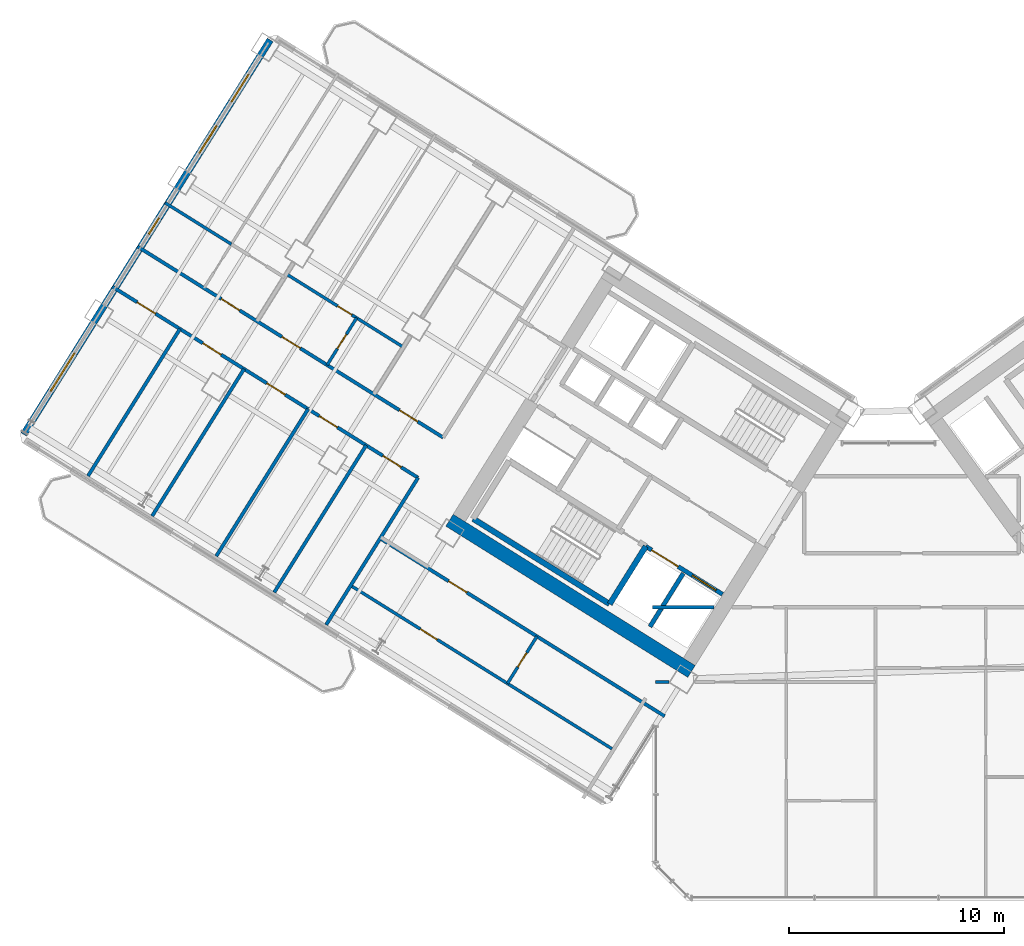
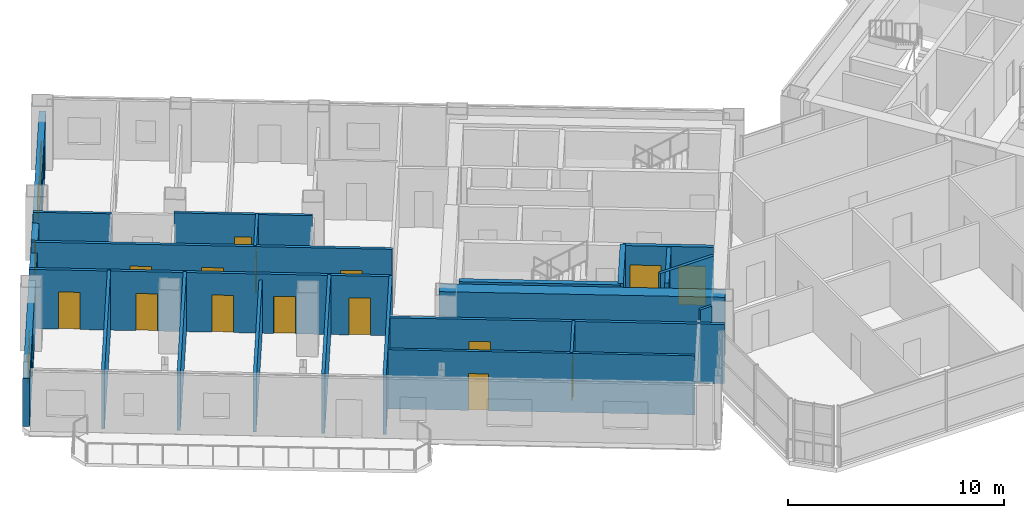
# One storey, part 15 of 28: 21 walls, 15 doors, 4 windows, 19 openings.
"""IFC4 building model written with IfcOpenShell, lengths in metres."""

from ifc_helpers import new_model, si_unit, direction, frame, frame_2d, origin, place, context, subcontext, project, spatial, rectangle, extrude, source, transform, mapped, material, layer, layer_set, type_object, element, fill, save


model = new_model("IFC4")

# Units and contexts
model_context = context("Model", 3, precision=1e-05, world=origin(), true_north=direction((0.0, 1.0)))
body_context = subcontext(model_context, "Body", "Model", "MODEL_VIEW")
ifc_project = project(units=[si_unit("LENGTHUNIT", "METRE"), si_unit("AREAUNIT", "SQUARE_METRE"), si_unit("VOLUMEUNIT", "CUBIC_METRE"), si_unit("PLANEANGLEUNIT", "RADIAN"), si_unit("MASSUNIT", "GRAM", prefix="KILO")], contexts=[model_context])

# Site, building, storey
site_placement = place(None, origin())
site = spatial("IfcSite", under=ifc_project, at=site_placement, CompositionType="ELEMENT")
building_placement = place(site_placement, origin())
building = spatial("IfcBuilding", under=site, at=building_placement, Name="Tlacorven Tower", CompositionType="ELEMENT")
storey_placement = place(building_placement, frame((0.0, 0.0, 56.39990234375)))
storey = spatial("IfcBuildingStorey", under=building, at=storey_placement, Name="L14", CompositionType="ELEMENT", Elevation=56.39990234375)

# Walls
ifc_material_1 = material(Name="Concrete C60/75", Category="concrete")
ifc_layer_1 = layer(ifc_material_1, 0.64990234375)
ifc_layer_set_1 = layer_set([ifc_layer_1], Name="Concrete C60/75")
wall_type_1 = type_object("IfcWallType", Name="WL-COR-650", PredefinedType="SHEAR", material=ifc_layer_set_1)
wall_1_placement = place(storey_placement, frame((33.40869140625, 12.449951171875, 0.0), z_axis=(0.0, 0.0, 1.0), x_axis=(-0.848051132073, 0.529914405721, 0.0)))
element("IfcWall", 1, at=wall_1_placement, inside=storey, type_object=wall_type_1, Name="L14 W core shear wall S2", PredefinedType="SHEAR", context=body_context, shape_type="SweptSolid", body=[
    extrude(rectangle(XDim=13.239990234375, YDim=0.64990234375, at=frame_2d((6.6201171875, 0.0))), origin(), (0.0, 0.0, 1.0), 3.35009765625),
])
ifc_material_2 = material(Name="Gypsum plasterboard acoustic partition", Category="gypsum")
ifc_layer_2 = layer(ifc_material_2, 0.159912109375)
ifc_layer_set_2 = layer_set([ifc_layer_2], Name="Gypsum plasterboard acoustic partition")
wall_type_2 = type_object("IfcWallType", Name="WL-DEM-160", PredefinedType="PARTITIONING", material=ifc_layer_set_2)
wall_2_placement = place(storey_placement, frame((20.719482421875, 21.440185546875, 0.0), z_axis=(0.0, 0.0, 1.0), x_axis=(-0.529906246318, -0.848056230514, 0.0)))
element("IfcWall", 2, at=wall_2_placement, inside=storey, type_object=wall_type_2, Name="L14 partition 50", PredefinedType="PARTITIONING", context=body_context, shape_type="SweptSolid", body=[
    extrude(rectangle(XDim=8.0498046875, YDim=0.159912109375, at=frame_2d((4.02490234375, 0.0))), origin(), (0.0, 0.0, 1.0), 3.340087890625),
])

# Wall, openings, doors
wall_3_placement = place(storey_placement, frame((21.885498046875, 23.305908203125, 0.0), z_axis=(0.0, 0.0, 1.0), x_axis=(-0.848052408131, 0.529912363569, 0.0)))
wall_3 = element("IfcWall", 3, at=wall_3_placement, inside=storey, type_object=wall_type_2, Name="L14 Wing W Corridor South Wall", PredefinedType="PARTITIONING", context=body_context, shape_type="SweptSolid", body=[
    extrude(rectangle(XDim=16.72998046875, YDim=0.159912109375, at=frame_2d((8.364990234375, 0.0))), origin(), (0.0, 0.0, 1.0), 3.340087890625),
])
opening_1_placement = place(wall_3_placement, frame((1.39501953125, 0.0, 0.0)))
opening_1 = element("IfcOpeningElement", 4, at=opening_1_placement, cuts=wall_3, Name="Opening D11", PredefinedType="OPENING", context=body_context, shape_type="SweptSolid", body=[
    extrude(rectangle(XDim=1.0, YDim=2.10009765625, at=frame_2d((0.5, 1.050048828125))), frame((0.0, 0.08984375, 0.0), z_axis=(0.0, -1.0, 0.0), x_axis=(1.0, 0.0, 0.0)), (0.0, 0.0, 1.0), 0.179931640625),
])
opening_2_placement = place(wall_3_placement, frame((7.820068359375, 0.0, 0.0)))
opening_2 = element("IfcOpeningElement", 5, at=opening_2_placement, cuts=wall_3, Name="Opening D11", PredefinedType="OPENING", context=body_context, shape_type="SweptSolid", body=[
    extrude(rectangle(XDim=1.0, YDim=2.10009765625, at=frame_2d((0.5, 1.050048828125))), frame((0.0, 0.08984375, 0.0), z_axis=(0.0, -1.0, 0.0), x_axis=(1.0, 0.0, 0.0)), (0.0, 0.0, 1.0), 0.179931640625),
])
opening_3_placement = place(wall_3_placement, frame((11.139892578125, 0.0, 0.0)))
opening_3 = element("IfcOpeningElement", 6, at=opening_3_placement, cuts=wall_3, Name="Opening D11", PredefinedType="OPENING", context=body_context, shape_type="SweptSolid", body=[
    extrude(rectangle(XDim=1.0, YDim=2.10009765625, at=frame_2d((0.5, 1.050048828125))), frame((0.0, 0.08984375, 0.0), z_axis=(0.0, -1.0, 0.0), x_axis=(1.0, 0.0, 0.0)), (0.0, 0.0, 1.0), 0.179931640625),
])
ifc_material_3 = material(Name="Fire-rated steel door assembly", Category="steel")
door_type_1 = type_object("IfcDoorType", Name="DR-FLT-FD60-1000", OperationType="NOTDEFINED", PredefinedType="DOOR", material=ifc_material_3)
shared_shape_1 = source(origin(), body_context, "Body", "SweptSolid", [
    extrude(rectangle(XDim=1.0, YDim=2.10009765625, at=frame_2d((0.5, 1.050048828125))), frame((0.0, 0.02490234375, 0.0), z_axis=(0.0, -1.0, 0.0), x_axis=(1.0, 0.0, 0.0)), (0.0, 0.0, 1.0), 0.050048828125),
])
door_1_placement = place(opening_1_placement, origin())
door_1 = element("IfcDoor", 7, at=door_1_placement, inside=storey, type_object=door_type_1, Name="L14 door 026", OperationType="SINGLE_SWING_RIGHT", OverallHeight=2.10009765625, OverallWidth=1.0, PredefinedType="DOOR", context=body_context, shape_type="MappedRepresentation", body=[
    mapped(shared_shape_1, transform((0.0, 0.0, 0.0), scale=1.0)),
])
fill(opening_1, door_1)
door_2_placement = place(opening_2_placement, origin())
door_2 = element("IfcDoor", 8, at=door_2_placement, inside=storey, type_object=door_type_1, Name="L14 door 029", OperationType="SINGLE_SWING_LEFT", OverallHeight=2.10009765625, OverallWidth=1.0, PredefinedType="DOOR", context=body_context, shape_type="MappedRepresentation", body=[
    mapped(shared_shape_1, transform((0.0, 0.0, 0.0), scale=1.0)),
])
fill(opening_2, door_2)
door_3_placement = place(opening_3_placement, origin())
door_3 = element("IfcDoor", 9, at=door_3_placement, inside=storey, type_object=door_type_1, Name="L14 door 033", OperationType="SINGLE_SWING_LEFT", OverallHeight=2.10009765625, OverallWidth=1.0, PredefinedType="DOOR", context=body_context, shape_type="MappedRepresentation", body=[
    mapped(shared_shape_1, transform((0.0, 0.0, 0.0), scale=1.0)),
])
fill(opening_3, door_3)

wall_4_placement = place(storey_placement, frame((20.719482421875, 21.440185546875, 0.0), z_axis=(0.0, 0.0, 1.0), x_axis=(-0.848048310262, 0.529918921593, 0.0)))
wall_4 = element("IfcWall", 10, at=wall_4_placement, inside=storey, type_object=wall_type_2, Name="L14 Wing W Corridor North Wall", PredefinedType="PARTITIONING", context=body_context, shape_type="SweptSolid", body=[
    extrude(rectangle(XDim=16.72998046875, YDim=0.159912109375, at=frame_2d((8.364990234375, 0.0))), origin(), (0.0, 0.0, 1.0), 3.340087890625),
])
opening_4_placement = place(wall_4_placement, frame((0.92041015625, 0.0, 0.0)))
opening_4 = element("IfcOpeningElement", 11, at=opening_4_placement, cuts=wall_4, Name="Opening D11", PredefinedType="OPENING", context=body_context, shape_type="SweptSolid", body=[
    extrude(rectangle(XDim=1.0, YDim=2.10009765625, at=frame_2d((0.5, 1.050048828125))), frame((0.0, 0.08984375, 0.0), z_axis=(0.0, -1.0, 0.0), x_axis=(1.0, 0.0, 0.0)), (0.0, 0.0, 1.0), 0.179931640625),
])
opening_5_placement = place(wall_4_placement, frame((4.408447265625, 0.0, 0.0)))
opening_5 = element("IfcOpeningElement", 12, at=opening_5_placement, cuts=wall_4, Name="Opening D11", PredefinedType="OPENING", context=body_context, shape_type="SweptSolid", body=[
    extrude(rectangle(XDim=1.0, YDim=2.10009765625, at=frame_2d((0.5, 1.050048828125))), frame((0.0, 0.08984375, 0.0), z_axis=(0.0, -1.0, 0.0), x_axis=(1.0, 0.0, 0.0)), (0.0, 0.0, 1.0), 0.179931640625),
])
opening_6_placement = place(wall_4_placement, frame((7.2705078125, 0.0, 0.0)))
opening_6 = element("IfcOpeningElement", 13, at=opening_6_placement, cuts=wall_4, Name="Opening D11", PredefinedType="OPENING", context=body_context, shape_type="SweptSolid", body=[
    extrude(rectangle(XDim=1.0, YDim=2.10009765625, at=frame_2d((0.5, 1.050048828125))), frame((0.0, 0.08984375, 0.0), z_axis=(0.0, -1.0, 0.0), x_axis=(1.0, 0.0, 0.0)), (0.0, 0.0, 1.0), 0.179931640625),
])
opening_7_placement = place(wall_4_placement, frame((10.779541015625, 0.0, 0.0)))
opening_7 = element("IfcOpeningElement", 14, at=opening_7_placement, cuts=wall_4, Name="Opening D11", PredefinedType="OPENING", context=body_context, shape_type="SweptSolid", body=[
    extrude(rectangle(XDim=1.0, YDim=2.10009765625, at=frame_2d((0.5, 1.050048828125))), frame((0.0, 0.08984375, 0.0), z_axis=(0.0, -1.0, 0.0), x_axis=(1.0, 0.0, 0.0)), (0.0, 0.0, 1.0), 0.179931640625),
])
opening_8_placement = place(wall_4_placement, frame((14.3720703125, 0.0, 0.0)))
opening_8 = element("IfcOpeningElement", 15, at=opening_8_placement, cuts=wall_4, Name="Opening D11", PredefinedType="OPENING", context=body_context, shape_type="SweptSolid", body=[
    extrude(rectangle(XDim=1.0, YDim=2.10009765625, at=frame_2d((0.5, 1.050048828125))), frame((0.0, 0.08984375, 0.0), z_axis=(0.0, -1.0, 0.0), x_axis=(1.0, 0.0, 0.0)), (0.0, 0.0, 1.0), 0.179931640625),
])
door_4_placement = place(opening_4_placement, origin())
door_4 = element("IfcDoor", 16, at=door_4_placement, inside=storey, type_object=door_type_1, Name="L14 door 021", OperationType="SINGLE_SWING_LEFT", OverallHeight=2.10009765625, OverallWidth=1.0, PredefinedType="DOOR", context=body_context, shape_type="MappedRepresentation", body=[
    mapped(shared_shape_1, transform((0.0, 0.0, 0.0), scale=1.0)),
])
fill(opening_4, door_4)
door_5_placement = place(opening_5_placement, origin())
door_5 = element("IfcDoor", 17, at=door_5_placement, inside=storey, type_object=door_type_1, Name="L14 door 022", OperationType="SINGLE_SWING_RIGHT", OverallHeight=2.10009765625, OverallWidth=1.0, PredefinedType="DOOR", context=body_context, shape_type="MappedRepresentation", body=[
    mapped(shared_shape_1, transform((0.0, 0.0, 0.0), scale=1.0)),
])
fill(opening_5, door_5)
door_6_placement = place(opening_6_placement, origin())
door_6 = element("IfcDoor", 18, at=door_6_placement, inside=storey, type_object=door_type_1, Name="L14 door 023", OperationType="SINGLE_SWING_LEFT", OverallHeight=2.10009765625, OverallWidth=1.0, PredefinedType="DOOR", context=body_context, shape_type="MappedRepresentation", body=[
    mapped(shared_shape_1, transform((0.0, 0.0, 0.0), scale=1.0)),
])
fill(opening_6, door_6)
door_7_placement = place(opening_7_placement, origin())
door_7 = element("IfcDoor", 19, at=door_7_placement, inside=storey, type_object=door_type_1, Name="L14 door 024", OperationType="SINGLE_SWING_RIGHT", OverallHeight=2.10009765625, OverallWidth=1.0, PredefinedType="DOOR", context=body_context, shape_type="MappedRepresentation", body=[
    mapped(shared_shape_1, transform((0.0, 0.0, 0.0), scale=1.0)),
])
fill(opening_7, door_7)
door_8_placement = place(opening_8_placement, origin())
door_8 = element("IfcDoor", 20, at=door_8_placement, inside=storey, type_object=door_type_1, Name="L14 door 025", OperationType="SINGLE_SWING_LEFT", OverallHeight=2.10009765625, OverallWidth=1.0, PredefinedType="DOOR", context=body_context, shape_type="MappedRepresentation", body=[
    mapped(shared_shape_1, transform((0.0, 0.0, 0.0), scale=1.0)),
])
fill(opening_8, door_8)

# Walls
wall_5_placement = place(storey_placement, frame((18.310302734375, 22.94580078125, 0.0), z_axis=(0.0, 0.0, 1.0), x_axis=(-0.529914428959, -0.848051117552, 0.0)))
element("IfcWall", 21, at=wall_5_placement, inside=storey, type_object=wall_type_2, Name="L14 partition 54", PredefinedType="PARTITIONING", context=body_context, shape_type="SweptSolid", body=[
    extrude(rectangle(XDim=8.050048828125, YDim=0.159912109375, at=frame_2d((4.02490234375, 0.0))), origin(), (0.0, 0.0, 1.0), 3.340087890625),
])
wall_6_placement = place(storey_placement, frame((15.61767578125, 24.628173828125, 0.0), z_axis=(0.0, 0.0, 1.0), x_axis=(-0.529928058306, -0.848042600947, 0.0)))
element("IfcWall", 22, at=wall_6_placement, inside=storey, type_object=wall_type_2, Name="L14 partition 55", PredefinedType="PARTITIONING", context=body_context, shape_type="SweptSolid", body=[
    extrude(rectangle(XDim=8.0498046875, YDim=0.159912109375, at=frame_2d((4.02490234375, 0.0))), origin(), (0.0, 0.0, 1.0), 2.9951171875),
])
wall_7_placement = place(storey_placement, frame((12.641845703125, 26.48779296875, 0.0), z_axis=(0.0, 0.0, 1.0), x_axis=(-0.529914428959, -0.848051117552, 0.0)))
element("IfcWall", 23, at=wall_7_placement, inside=storey, type_object=wall_type_2, Name="L14 partition 56", PredefinedType="PARTITIONING", context=body_context, shape_type="SweptSolid", body=[
    extrude(rectangle(XDim=8.050048828125, YDim=0.159912109375, at=frame_2d((4.02490234375, 0.0))), origin(), (0.0, 0.0, 1.0), 3.340087890625),
])
wall_8_placement = place(storey_placement, frame((9.666259765625, 28.34716796875, 0.0), z_axis=(0.0, 0.0, 1.0), x_axis=(-0.529928058306, -0.848042600947, 0.0)))
element("IfcWall", 24, at=wall_8_placement, inside=storey, type_object=wall_type_2, Name="L14 partition 57", PredefinedType="PARTITIONING", context=body_context, shape_type="SweptSolid", body=[
    extrude(rectangle(XDim=8.0498046875, YDim=0.159912109375, at=frame_2d((4.02490234375, 0.0))), origin(), (0.0, 0.0, 1.0), 3.340087890625),
])

# Wall, opening, door
wall_9_placement = place(storey_placement, frame((32.164306640625, 10.373779296875, 0.0), z_axis=(0.0, 0.0, 1.0), x_axis=(-0.848044107957, 0.529925646633, 0.0)))
wall_9 = element("IfcWall", 25, at=wall_9_placement, inside=storey, type_object=wall_type_2, Name="L14 partition 68", PredefinedType="PARTITIONING", context=body_context, shape_type="SweptSolid", body=[
    extrude(rectangle(XDim=15.570068359375, YDim=0.159912109375, at=frame_2d((7.78515625, 0.0))), origin(), (0.0, 0.0, 1.0), 3.340087890625),
])
opening_9_placement = place(wall_9_placement, frame((10.830078125, 0.0, 0.0)))
opening_9 = element("IfcOpeningElement", 26, at=opening_9_placement, cuts=wall_9, Name="Opening D11", PredefinedType="OPENING", context=body_context, shape_type="SweptSolid", body=[
    extrude(rectangle(XDim=1.0, YDim=2.10009765625, at=frame_2d((0.5, 1.050048828125))), frame((0.0, 0.08984375, 0.0), z_axis=(0.0, -1.0, 0.0), x_axis=(1.0, 0.0, 0.0)), (0.0, 0.0, 1.0), 0.179931640625),
])
door_9_placement = place(opening_9_placement, origin())
door_9 = element("IfcDoor", 27, at=door_9_placement, inside=storey, type_object=door_type_1, Name="L14 door 037", OperationType="SINGLE_SWING_LEFT", OverallHeight=2.10009765625, OverallWidth=1.0, PredefinedType="DOOR", context=body_context, shape_type="MappedRepresentation", body=[
    mapped(shared_shape_1, transform((0.0, 0.0, 0.0), scale=1.0)),
])
fill(opening_9, door_9)

# Wall
wall_10_placement = place(storey_placement, frame((31.60009765625, 15.419921875, 0.0), z_axis=(0.0, 0.0, 1.0), x_axis=(1.0, 0.0, 0.0)))
element("IfcWall", 28, at=wall_10_placement, inside=storey, type_object=wall_type_2, Name="L14 Knuckle Corridor South Wall", PredefinedType="PARTITIONING", context=body_context, shape_type="SweptSolid", body=[
    extrude(rectangle(XDim=2.8662109375, YDim=0.159912109375, at=frame_2d((1.43310546875, 0.0))), origin(), (0.0, 0.0, 1.0), 3.340087890625),
])

# Wall, openings, windows
ifc_material_4 = material(Name="Precast concrete C45/55", Category="concrete")
ifc_layer_3 = layer(ifc_material_4, 0.320068359375)
ifc_layer_set_3 = layer_set([ifc_layer_3], Name="Precast concrete C45/55")
wall_type_3 = type_object("IfcWallType", Name="WL-EXT-320", PredefinedType="STANDARD", material=ifc_layer_set_3)
wall_11_placement = place(storey_placement, frame((2.41455078125, 23.452392578125, 0.0), z_axis=(0.0, 0.0, 1.0), x_axis=(0.52991049553, 0.848053575387, 0.0)))
wall_11 = element("IfcWall", 29, at=wall_11_placement, inside=storey, type_object=wall_type_3, Name="L14 Masonry-Frame Recessed Facade Wall 2", PredefinedType="STANDARD", context=body_context, shape_type="SweptSolid", body=[
    extrude(rectangle(XDim=21.58740234375, YDim=0.320068359375, at=frame_2d((10.793701171875, 0.0))), origin(), (0.0, 0.0, 1.0), 2.72509765625),
])
opening_10_placement = place(wall_11_placement, frame((2.356201171875, 0.0, 0.800048828125)))
opening_10 = element("IfcOpeningElement", 30, at=opening_10_placement, cuts=wall_11, Name="Opening WN04", PredefinedType="OPENING", context=body_context, shape_type="SweptSolid", body=[
    extrude(rectangle(XDim=2.10009765625, YDim=1.550048828125, at=frame_2d((1.050048828125, 0.77490234375))), frame((0.0, 0.169921875, 0.0), z_axis=(0.0, -1.0, 0.0), x_axis=(1.0, 0.0, 0.0)), (0.0, 0.0, 1.0), 0.340087890625),
])
opening_11_placement = place(wall_11_placement, frame((10.94873046875, 0.0, 1.0)))
opening_11 = element("IfcOpeningElement", 31, at=opening_11_placement, cuts=wall_11, Name="Opening WN05", PredefinedType="OPENING", context=body_context, shape_type="SweptSolid", body=[
    extrude(rectangle(XDim=0.89990234375, YDim=1.25, at=frame_2d((0.449951171875, 0.625))), frame((0.0, 0.169921875, 0.0), z_axis=(0.0, -1.0, 0.0), x_axis=(1.0, 0.0, 0.0)), (0.0, 0.0, 1.0), 0.340087890625),
])
opening_12_placement = place(wall_11_placement, frame((15.393798828125, 0.0, 0.85009765625)))
opening_12 = element("IfcOpeningElement", 32, at=opening_12_placement, cuts=wall_11, Name="Opening WN02", PredefinedType="OPENING", context=body_context, shape_type="SweptSolid", body=[
    extrude(rectangle(XDim=1.5, YDim=1.5, at=frame_2d((0.75, 0.75))), frame((0.0, 0.169921875, 0.0), z_axis=(0.0, -1.0, 0.0), x_axis=(1.0, 0.0, 0.0)), (0.0, 0.0, 1.0), 0.340087890625),
])
opening_13_placement = place(wall_11_placement, frame((18.193603515625, 0.0, 0.85009765625)))
opening_13 = element("IfcOpeningElement", 33, at=opening_13_placement, cuts=wall_11, Name="Opening WN02", PredefinedType="OPENING", context=body_context, shape_type="SweptSolid", body=[
    extrude(rectangle(XDim=1.5, YDim=1.5, at=frame_2d((0.75, 0.75))), frame((0.0, 0.169921875, 0.0), z_axis=(0.0, -1.0, 0.0), x_axis=(1.0, 0.0, 0.0)), (0.0, 0.0, 1.0), 0.340087890625),
])
ifc_material_5 = material(Name="Dark solar low-E double glazing in anodised aluminium frame", Category="aluminium")
window_type_1 = type_object("IfcWindowType", Name="WN-APT-2100X1750", PartitioningType="SINGLE_PANEL", PredefinedType="WINDOW", material=ifc_material_5)
shared_shape_2 = source(origin(), body_context, "Body", "SweptSolid", [
    extrude(rectangle(XDim=2.10009765625, YDim=1.550048828125, at=frame_2d((1.050048828125, 0.77490234375))), frame((0.0, 0.030029296875, 0.0), z_axis=(0.0, -1.0, 0.0), x_axis=(1.0, 0.0, 0.0)), (0.0, 0.0, 1.0), 0.06005859375),
])
window_1_placement = place(opening_10_placement, origin())
window_1 = element("IfcWindow", 34, at=window_1_placement, inside=storey, type_object=window_type_1, Name="L14 Recessed Masonry-Frame Window L14-02.1", OverallHeight=1.550048828125, OverallWidth=2.10009765625, PartitioningType="SINGLE_PANEL", PredefinedType="WINDOW", context=body_context, shape_type="MappedRepresentation", body=[
    mapped(shared_shape_2, transform((0.0, 0.0, 0.0), scale=1.0)),
])
fill(opening_10, window_1)
window_type_2 = type_object("IfcWindowType", Name="WN-APT-1500X1650", PartitioningType="SINGLE_PANEL", PredefinedType="WINDOW", material=ifc_material_5)
shared_shape_3 = source(origin(), body_context, "Body", "SweptSolid", [
    extrude(rectangle(XDim=1.5, YDim=1.5, at=frame_2d((0.75, 0.75))), frame((0.0, 0.030029296875, 0.0), z_axis=(0.0, -1.0, 0.0), x_axis=(1.0, 0.0, 0.0)), (0.0, 0.0, 1.0), 0.06005859375),
])
window_2_placement = place(opening_12_placement, origin())
window_2 = element("IfcWindow", 35, at=window_2_placement, inside=storey, type_object=window_type_2, Name="L14 Recessed Masonry-Frame Window L14-02.3", OverallHeight=1.5, OverallWidth=1.5, PartitioningType="SINGLE_PANEL", PredefinedType="WINDOW", context=body_context, shape_type="MappedRepresentation", body=[
    mapped(shared_shape_3, transform((0.0, 0.0, 0.0), scale=1.0)),
])
fill(opening_12, window_2)
window_3_placement = place(opening_13_placement, origin())
window_3 = element("IfcWindow", 36, at=window_3_placement, inside=storey, type_object=window_type_2, Name="L14 Recessed Masonry-Frame Window L14-02.4", OverallHeight=1.5, OverallWidth=1.5, PartitioningType="SINGLE_PANEL", PredefinedType="WINDOW", context=body_context, shape_type="MappedRepresentation", body=[
    mapped(shared_shape_3, transform((0.0, 0.0, 0.0), scale=1.0)),
])
fill(opening_13, window_3)
window_type_3 = type_object("IfcWindowType", Name="WN-APT-0900X1350", PartitioningType="SINGLE_PANEL", PredefinedType="WINDOW", material=ifc_material_5)
shared_shape_4 = source(origin(), body_context, "Body", "SweptSolid", [
    extrude(rectangle(XDim=0.89990234375, YDim=1.25, at=frame_2d((0.449951171875, 0.625))), frame((0.0, 0.030029296875, 0.0), z_axis=(0.0, -1.0, 0.0), x_axis=(1.0, 0.0, 0.0)), (0.0, 0.0, 1.0), 0.06005859375),
])
window_4_placement = place(opening_11_placement, origin())
window_4 = element("IfcWindow", 37, at=window_4_placement, inside=storey, type_object=window_type_3, Name="L14 Recessed Masonry-Frame Window L14-02.2", OverallHeight=1.25, OverallWidth=0.89990234375, PartitioningType="SINGLE_PANEL", PredefinedType="WINDOW", context=body_context, shape_type="MappedRepresentation", body=[
    mapped(shared_shape_4, transform((0.0, 0.0, 0.0), scale=1.0)),
])
fill(opening_11, window_4)

# Wall, opening, door
ifc_material_6 = material(Name="Moisture-resistant gypsum plumbing wall", Category="gypsum")
ifc_layer_4 = layer(ifc_material_6, 0.139892578125)
ifc_layer_set_4 = layer_set([ifc_layer_4], Name="Moisture-resistant gypsum plumbing wall")
wall_type_4 = type_object("IfcWallType", Name="WL-PLM-140", PredefinedType="PLUMBINGWALL", material=ifc_layer_set_4)
wall_12_placement = place(storey_placement, frame((20.03857421875, 27.502197265625, 0.0), z_axis=(0.0, 0.0, 1.0), x_axis=(-0.848039019877, 0.529933789039, 0.0)))
wall_12 = element("IfcWall", 38, at=wall_12_placement, inside=storey, type_object=wall_type_4, Name="L14 partition 61", PredefinedType="PLUMBINGWALL", context=body_context, shape_type="SweptSolid", body=[
    extrude(rectangle(XDim=6.400146484375, YDim=0.139892578125, at=frame_2d((3.2001953125, 0.0))), origin(), (0.0, 0.0, 1.0), 3.340087890625),
])
opening_14_placement = place(wall_12_placement, frame((2.823974609375, 0.0, 0.0)))
opening_14 = element("IfcOpeningElement", 39, at=opening_14_placement, cuts=wall_12, Name="Opening D22", PredefinedType="OPENING", context=body_context, shape_type="SweptSolid", body=[
    extrude(rectangle(XDim=0.780029296875, YDim=2.050048828125, at=frame_2d((0.39013671875, 1.02490234375))), frame((0.0, 0.080078125, 0.0), z_axis=(0.0, -1.0, 0.0), x_axis=(1.0, 0.0, 0.0)), (0.0, 0.0, 1.0), 0.159912109375),
])
ifc_material_7 = material(Name="Powder-coated aluminium and timber door", Category="wood")
door_type_2 = type_object("IfcDoorType", Name="DR-INT-WET-0780", OperationType="NOTDEFINED", PredefinedType="DOOR", material=ifc_material_7)
shared_shape_5 = source(origin(), body_context, "Body", "SweptSolid", [
    extrude(rectangle(XDim=0.780029296875, YDim=2.050048828125, at=frame_2d((0.39013671875, 1.02490234375))), frame((0.0, 0.02490234375, 0.0), z_axis=(0.0, -1.0, 0.0), x_axis=(1.0, 0.0, 0.0)), (0.0, 0.0, 1.0), 0.050048828125),
])
door_10_placement = place(opening_14_placement, origin())
door_10 = element("IfcDoor", 40, at=door_10_placement, inside=storey, type_object=door_type_2, Name="L14 door 030", OperationType="SINGLE_SWING_RIGHT", OverallHeight=2.050048828125, OverallWidth=0.780029296875, PredefinedType="DOOR", context=body_context, shape_type="MappedRepresentation", body=[
    mapped(shared_shape_5, transform((0.0, 0.0, 0.0), scale=1.0)),
])
fill(opening_14, door_10)

wall_13_placement = place(storey_placement, frame((17.867431640625, 28.85888671875, 0.0), z_axis=(0.0, 0.0, 1.0), x_axis=(-0.529913878929, -0.848051461244, 0.0)))
wall_13 = element("IfcWall", 41, at=wall_13_placement, inside=storey, type_object=wall_type_4, Name="L14 partition 62", PredefinedType="PLUMBINGWALL", context=body_context, shape_type="SweptSolid", body=[
    extrude(rectangle(XDim=2.580078125, YDim=0.139892578125, at=frame_2d((1.2900390625, 0.0))), origin(), (0.0, 0.0, 1.0), 3.340087890625),
])
opening_15_placement = place(wall_13_placement, frame((0.89990234375, 0.0, 0.0)))
opening_15 = element("IfcOpeningElement", 42, at=opening_15_placement, cuts=wall_13, Name="Opening D22", PredefinedType="OPENING", context=body_context, shape_type="SweptSolid", body=[
    extrude(rectangle(XDim=0.780029296875, YDim=2.050048828125, at=frame_2d((0.39013671875, 1.02490234375))), frame((0.0, 0.080078125, 0.0), z_axis=(0.0, -1.0, 0.0), x_axis=(1.0, 0.0, 0.0)), (0.0, 0.0, 1.0), 0.159912109375),
])
door_11_placement = place(opening_15_placement, origin())
door_11 = element("IfcDoor", 43, at=door_11_placement, inside=storey, type_object=door_type_2, Name="L14 door 031", OperationType="SINGLE_SWING_LEFT", OverallHeight=2.050048828125, OverallWidth=0.780029296875, PredefinedType="DOOR", context=body_context, shape_type="MappedRepresentation", body=[
    mapped(shared_shape_5, transform((0.0, 0.0, 0.0), scale=1.0)),
])
fill(opening_15, door_11)

# Wall
wall_14_placement = place(storey_placement, frame((12.056396484375, 32.27783203125, 0.0), z_axis=(0.0, 0.0, 1.0), x_axis=(-0.848039976902, 0.529932257535, 0.0)))
element("IfcWall", 44, at=wall_14_placement, inside=storey, type_object=wall_type_4, Name="L14 partition 67", PredefinedType="PLUMBINGWALL", context=body_context, shape_type="SweptSolid", body=[
    extrude(rectangle(XDim=3.6201171875, YDim=0.139892578125, at=frame_2d((1.81005859375, 0.0))), origin(), (0.0, 0.0, 1.0), 3.340087890625),
])

# Wall, opening, door
wall_15_placement = place(storey_placement, frame((29.72021484375, 8.85888671875, 0.0), z_axis=(0.0, 0.0, 1.0), x_axis=(-0.848049134363, 0.529917602752, 0.0)))
wall_15 = element("IfcWall", 45, at=wall_15_placement, inside=storey, type_object=wall_type_4, Name="L14 partition 70", PredefinedType="PLUMBINGWALL", context=body_context, shape_type="SweptSolid", body=[
    extrude(rectangle(XDim=14.300048828125, YDim=0.139892578125, at=frame_2d((7.14990234375, 0.0))), origin(), (0.0, 0.0, 1.0), 3.340087890625),
])
opening_16_placement = place(wall_15_placement, frame((9.570068359375, 0.0, 0.0)))
opening_16 = element("IfcOpeningElement", 46, at=opening_16_placement, cuts=wall_15, Name="Opening D12", PredefinedType="OPENING", context=body_context, shape_type="SweptSolid", body=[
    extrude(rectangle(XDim=0.919921875, YDim=2.080078125, at=frame_2d((0.4599609375, 1.0400390625))), frame((0.0, 0.080078125, 0.0), z_axis=(0.0, -1.0, 0.0), x_axis=(1.0, 0.0, 0.0)), (0.0, 0.0, 1.0), 0.159912109375),
])
door_type_3 = type_object("IfcDoorType", Name="DR-INT-ROOM-0920", OperationType="NOTDEFINED", PredefinedType="DOOR", material=ifc_material_7)
shared_shape_6 = source(origin(), body_context, "Body", "SweptSolid", [
    extrude(rectangle(XDim=0.919921875, YDim=2.080078125, at=frame_2d((0.4599609375, 1.0400390625))), frame((0.0, 0.02490234375, 0.0), z_axis=(0.0, -1.0, 0.0), x_axis=(1.0, 0.0, 0.0)), (0.0, 0.0, 1.0), 0.050048828125),
])
door_12_placement = place(opening_16_placement, origin())
door_12 = element("IfcDoor", 47, at=door_12_placement, inside=storey, type_object=door_type_3, Name="L14 door 038", OperationType="SINGLE_SWING_RIGHT", OverallHeight=2.080078125, OverallWidth=0.919921875, PredefinedType="DOOR", context=body_context, shape_type="MappedRepresentation", body=[
    mapped(shared_shape_6, transform((0.0, 0.0, 0.0), scale=1.0)),
])
fill(opening_16, door_12)

wall_16_placement = place(storey_placement, frame((26.236572265625, 14.077880859375, 0.0), z_axis=(0.0, 0.0, 1.0), x_axis=(-0.52995640672, -0.848024885824, 0.0)))
wall_16 = element("IfcWall", 48, at=wall_16_placement, inside=storey, type_object=wall_type_4, Name="L14 partition 71", PredefinedType="PLUMBINGWALL", context=body_context, shape_type="SweptSolid", body=[
    extrude(rectangle(XDim=2.579833984375, YDim=0.139892578125, at=frame_2d((1.2900390625, 0.0))), origin(), (0.0, 0.0, 1.0), 3.340087890625),
])
opening_17_placement = place(wall_16_placement, frame((0.89990234375, 0.0, 0.0)))
opening_17 = element("IfcOpeningElement", 49, at=opening_17_placement, cuts=wall_16, Name="Opening D22", PredefinedType="OPENING", context=body_context, shape_type="SweptSolid", body=[
    extrude(rectangle(XDim=0.780029296875, YDim=2.050048828125, at=frame_2d((0.39013671875, 1.02490234375))), frame((0.0, 0.080078125, 0.0), z_axis=(0.0, -1.0, 0.0), x_axis=(1.0, 0.0, 0.0)), (0.0, 0.0, 1.0), 0.159912109375),
])
door_13_placement = place(opening_17_placement, origin())
door_13 = element("IfcDoor", 50, at=door_13_placement, inside=storey, type_object=door_type_2, Name="L14 door 039", OperationType="SINGLE_SWING_LEFT", OverallHeight=2.050048828125, OverallWidth=0.780029296875, PredefinedType="DOOR", context=body_context, shape_type="MappedRepresentation", body=[
    mapped(shared_shape_5, transform((0.0, 0.0, 0.0), scale=1.0)),
])
fill(opening_17, door_13)

# Wall
wall_17_placement = place(storey_placement, frame((31.739990234375, 11.949951171875, 0.0), z_axis=(0.0, 0.0, 1.0), x_axis=(1.0, 0.0, 0.0)))
element("IfcWall", 51, at=wall_17_placement, inside=storey, type_object=wall_type_4, Name="L14 partition 81", PredefinedType="PLUMBINGWALL", context=body_context, shape_type="SweptSolid", body=[
    extrude(rectangle(XDim=0.616943359375, YDim=0.139892578125, at=frame_2d((0.30859375, 0.0))), origin(), (0.0, 0.0, 1.0), 3.340087890625),
])

# Wall, openings, doors
ifc_material_8 = material(Name="Concrete C40/50", Category="concrete")
ifc_layer_5 = layer(ifc_material_8, 0.199951171875)
ifc_layer_set_5 = layer_set([ifc_layer_5], Name="Concrete C40/50")
wall_type_5 = type_object("IfcWallType", Name="WL-SHF-200", PredefinedType="STANDARD", material=ifc_layer_set_5)
wall_18_placement = place(storey_placement, frame((34.84814453125, 16.03125, 0.0), z_axis=(0.0, 0.0, 1.0), x_axis=(-0.848044042236, 0.529925751807, 0.0)))
wall_18 = element("IfcWall", 52, at=wall_18_placement, inside=storey, type_object=wall_type_5, Name="L14 Core W Firefighting Lift Shaft Front Wall", PredefinedType="STANDARD", context=body_context, shape_type="SweptSolid", body=[
    extrude(rectangle(XDim=4.197998046875, YDim=0.199951171875, at=frame_2d((2.09912109375, 0.0))), origin(), (0.0, 0.0, 1.0), 3.340087890625),
])
opening_18_placement = place(wall_18_placement, frame((0.347900390625, 0.0, 0.0)))
opening_18 = element("IfcOpeningElement", 53, at=opening_18_placement, cuts=wall_18, Name="Opening LD03", PredefinedType="OPENING", context=body_context, shape_type="SweptSolid", body=[
    extrude(rectangle(XDim=1.300048828125, YDim=2.199951171875, at=frame_2d((0.64990234375, 1.10009765625))), frame((0.0, 0.10986328125, 0.0), z_axis=(0.0, -1.0, 0.0), x_axis=(1.0, 0.0, 0.0)), (0.0, 0.0, 1.0), 0.219970703125),
])
opening_19_placement = place(wall_18_placement, frame((2.423095703125, 0.0, 0.0)))
opening_19 = element("IfcOpeningElement", 54, at=opening_19_placement, cuts=wall_18, Name="Opening LD04", PredefinedType="OPENING", context=body_context, shape_type="SweptSolid", body=[
    extrude(rectangle(XDim=1.449951171875, YDim=2.25, at=frame_2d((0.72509765625, 1.125))), frame((0.0, 0.10986328125, 0.0), z_axis=(0.0, -1.0, 0.0), x_axis=(1.0, 0.0, 0.0)), (0.0, 0.0, 1.0), 0.219970703125),
])
door_type_4 = type_object("IfcDoorType", Name="DR-LFT-SLID-1300", OperationType="DOUBLE_DOOR_SLIDING", PredefinedType="DOOR", material=ifc_material_3)
shared_shape_7 = source(origin(), body_context, "Body", "SweptSolid", [
    extrude(rectangle(XDim=1.300048828125, YDim=2.199951171875, at=frame_2d((0.64990234375, 1.10009765625))), frame((0.0, 0.02490234375, 0.0), z_axis=(0.0, -1.0, 0.0), x_axis=(1.0, 0.0, 0.0)), (0.0, 0.0, 1.0), 0.050048828125),
])
door_14_placement = place(opening_18_placement, origin())
door_14 = element("IfcDoor", 55, at=door_14_placement, inside=storey, type_object=door_type_4, Name="L14 Lift FFL-W1 Sliding Landing Door", OperationType="DOUBLE_DOOR_SLIDING", OverallHeight=2.199951171875, OverallWidth=1.300048828125, PredefinedType="DOOR", context=body_context, shape_type="MappedRepresentation", body=[
    mapped(shared_shape_7, transform((0.0, 0.0, 0.0), scale=1.0)),
])
fill(opening_18, door_14)
door_type_5 = type_object("IfcDoorType", Name="DR-LFT-SLID-1450", OperationType="DOUBLE_DOOR_SLIDING", PredefinedType="DOOR", material=ifc_material_3)
shared_shape_8 = source(origin(), body_context, "Body", "SweptSolid", [
    extrude(rectangle(XDim=1.449951171875, YDim=2.25, at=frame_2d((0.72509765625, 1.125))), frame((0.0, 0.02490234375, 0.0), z_axis=(0.0, -1.0, 0.0), x_axis=(1.0, 0.0, 0.0)), (0.0, 0.0, 1.0), 0.050048828125),
])
door_15_placement = place(opening_19_placement, origin())
door_15 = element("IfcDoor", 56, at=door_15_placement, inside=storey, type_object=door_type_5, Name="L14 Lift SVL-W1 Sliding Landing Door", OperationType="DOUBLE_DOOR_SLIDING", OverallHeight=2.25, OverallWidth=1.449951171875, PredefinedType="DOOR", context=body_context, shape_type="MappedRepresentation", body=[
    mapped(shared_shape_8, transform((0.0, 0.0, 0.0), scale=1.0)),
])
fill(opening_19, door_15)

# Walls
wall_19_placement = place(storey_placement, frame((33.02880859375, 17.003173828125, 0.0), z_axis=(0.0, 0.0, 1.0), x_axis=(-0.529916267533, -0.848049968695, 0.0)))
element("IfcWall", 57, at=wall_19_placement, inside=storey, type_object=wall_type_5, Name="L14 partition 14", PredefinedType="STANDARD", context=body_context, shape_type="SweptSolid", body=[
    extrude(rectangle(XDim=2.919921875, YDim=0.199951171875, at=frame_2d((1.4599609375, 0.0))), origin(), (0.0, 0.0, 1.0), 3.340087890625),
])
ifc_material_9 = material(Name="Concrete C50/60", Category="concrete")
ifc_layer_6 = layer(ifc_material_9, 0.260009765625)
ifc_layer_set_6 = layer_set([ifc_layer_6], Name="Concrete C50/60")
wall_type_6 = type_object("IfcWallType", Name="WL-STW-260", PredefinedType="SHEAR", material=ifc_layer_set_6)
wall_20_placement = place(storey_placement, frame((29.60498046875, 15.581298828125, 0.0), z_axis=(0.0, 0.0, 1.0), x_axis=(-0.848036911448, 0.529937163087, 0.0)))
element("IfcWall", 58, at=wall_20_placement, inside=storey, type_object=wall_type_6, Name="L14 Stair W1 Far Shear Wall", PredefinedType="SHEAR", context=body_context, shape_type="SweptSolid", body=[
    extrude(rectangle(XDim=7.4599609375, YDim=0.260009765625, at=frame_2d((3.72998046875, 0.0))), origin(), (0.0, 0.0, 1.0), 3.35009765625),
])
wall_21_placement = place(storey_placement, frame((31.2880859375, 18.255859375, 0.0), z_axis=(0.0, 0.0, 1.0), x_axis=(-0.529943379326, -0.848033026897, 0.0)))
element("IfcWall", 59, at=wall_21_placement, inside=storey, type_object=wall_type_6, Name="L14 Stair W1 West Shear Wall", PredefinedType="SHEAR", context=body_context, shape_type="SweptSolid", body=[
    extrude(rectangle(XDim=3.159912109375, YDim=0.260009765625, at=frame_2d((1.580078125, 0.0))), origin(), (0.0, 0.0, 1.0), 3.35009765625),
])

save(model, "model.ifc")
